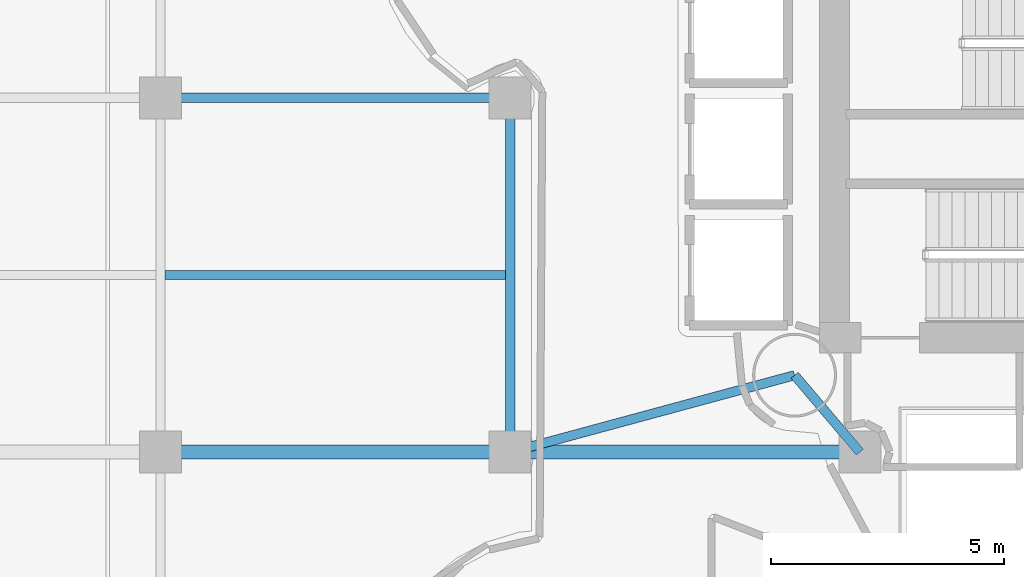
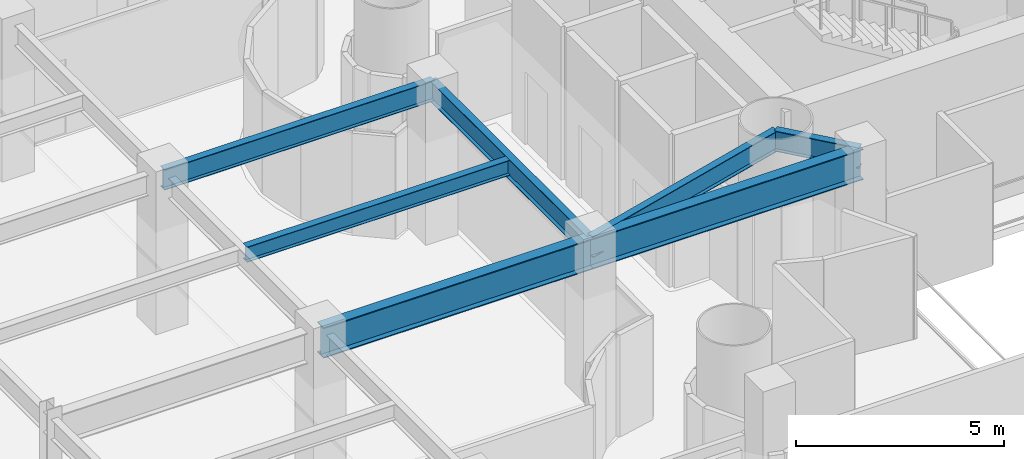
# One storey, part 10 of 39: 7 beams.
"""IFC4 building model written with IfcOpenShell, lengths in metres."""

from ifc_helpers import new_model, si_unit, direction, frame, origin, origin_2d, place, context, subcontext, project, spatial, i_section, extrude, material, material_profile, profile_set, type_object, element, save


model = new_model("IFC4")

# Units and contexts
model_context = context("Model", 3, precision=1e-05, world=origin(), true_north=direction((0.0, 1.0)))
body_context = subcontext(model_context, "Body", "Model", "MODEL_VIEW")
ifc_project = project(units=[si_unit("LENGTHUNIT", "METRE"), si_unit("AREAUNIT", "SQUARE_METRE"), si_unit("VOLUMEUNIT", "CUBIC_METRE"), si_unit("PLANEANGLEUNIT", "RADIAN"), si_unit("MASSUNIT", "GRAM", prefix="KILO")], contexts=[model_context])

# Site, building, storey
site_placement = place(None, origin())
site = spatial("IfcSite", under=ifc_project, at=site_placement, CompositionType="ELEMENT")
building_placement = place(site_placement, origin())
building = spatial("IfcBuilding", under=site, at=building_placement, Name="Qianvela Tower", CompositionType="ELEMENT")
storey_placement = place(building_placement, frame((0.0, 0.0, 15.800048828125)))
storey = spatial("IfcBuildingStorey", under=building, at=storey_placement, Name="L03", CompositionType="ELEMENT", Elevation=15.800048828125)

# Beams
ifc_material_1 = material(Name="Steel Q355B", Category="steel")
ifc_material_profile_1 = material_profile(ifc_material_1, i_section(OverallWidth=0.199951171875, OverallDepth=0.449951171875, WebThickness=0.009033203125, FlangeThickness=0.013916015625, at=origin_2d()), Name="HN450x200x9x14")
ifc_profile_set_1 = profile_set([ifc_material_profile_1], Name="Steel Q355B")
beam_type_1 = type_object("IfcBeamType", Name="BM-HN450-JOIST", PredefinedType="JOIST", material=ifc_profile_set_1)
beam_1_placement = place(storey_placement, frame((15.095947265625, 26.0, 4.27294921875), z_axis=(1.0, 0.0, 0.0), x_axis=(0.0, 1.0, 0.0)))
element("IfcBeam", 1, at=beam_1_placement, inside=storey, type_object=beam_type_1, Name="L03 Secondary Floor Joist 45", PredefinedType="JOIST", context=body_context, shape_type="SweptSolid", body=[
    extrude(i_section(OverallWidth=0.199951171875, OverallDepth=0.449951171875, WebThickness=0.009033203125, FlangeThickness=0.013916015625, at=origin_2d()), origin(), (0.0, 0.0, 1.0), 7.30810546875),
])
ifc_material_2 = material(Name="Steel Q355B", Category="steel")
ifc_material_profile_2 = material_profile(ifc_material_2, i_section(OverallWidth=0.199951171875, OverallDepth=0.60009765625, WebThickness=0.010986328125, FlangeThickness=0.01708984375, at=origin_2d()), Name="HN600x200x11x17")
ifc_profile_set_2 = profile_set([ifc_material_profile_2], Name="Steel Q355B")
beam_type_2 = type_object("IfcBeamType", Name="BM-HN600-GIRD", PredefinedType="BEAM", material=ifc_profile_set_2)
beam_2_placement = place(storey_placement, frame((15.0, 29.800048828125, 4.197998046875), z_axis=(1.0, 0.0, 0.0), x_axis=(0.0, 1.0, 0.0)))
element("IfcBeam", 2, at=beam_2_placement, inside=storey, type_object=beam_type_2, Name="L03 East-West Grid Girder 10", PredefinedType="BEAM", context=body_context, shape_type="SweptSolid", body=[
    extrude(i_section(OverallWidth=0.199951171875, OverallDepth=0.60009765625, WebThickness=0.010986328125, FlangeThickness=0.01708984375, at=origin_2d()), origin(), (0.0, 0.0, 1.0), 7.5),
])
beam_3_placement = place(storey_placement, frame((22.5, 22.199951171875, 4.197998046875), z_axis=(0.0, 1.0, 0.0), x_axis=(-1.0, 0.0, 0.0)))
element("IfcBeam", 3, at=beam_3_placement, inside=storey, type_object=beam_type_2, Name="L03 North-South Grid Girder 24", PredefinedType="BEAM", context=body_context, shape_type="SweptSolid", body=[
    extrude(i_section(OverallWidth=0.199951171875, OverallDepth=0.60009765625, WebThickness=0.010986328125, FlangeThickness=0.01708984375, at=origin_2d()), origin(), (0.0, 0.0, 1.0), 7.60009765625),
])
beam_4_placement = place(storey_placement, frame((28.60009765625, 23.85009765625, 4.197998046875), z_axis=(0.646917812917, -0.762559730992, 0.0), x_axis=(0.762559730992, 0.646917812917, 0.0)))
element("IfcBeam", 4, at=beam_4_placement, inside=storey, type_object=beam_type_2, Name="L03 Core Tie Girder 37", PredefinedType="BEAM", context=body_context, shape_type="SweptSolid", body=[
    extrude(i_section(OverallWidth=0.199951171875, OverallDepth=0.60009765625, WebThickness=0.010986328125, FlangeThickness=0.01708984375, at=origin_2d()), origin(), (0.0, 0.0, 1.0), 2.1640625),
])
beam_5_placement = place(storey_placement, frame((28.60009765625, 23.85009765625, 4.197998046875), z_axis=(-0.96530472097, -0.26112601493, 0.0), x_axis=(0.26112601493, -0.96530472097, 0.0)))
element("IfcBeam", 5, at=beam_5_placement, inside=storey, type_object=beam_type_2, Name="L03 Core Tie Girder 38", PredefinedType="BEAM", context=body_context, shape_type="SweptSolid", body=[
    extrude(i_section(OverallWidth=0.199951171875, OverallDepth=0.60009765625, WebThickness=0.010986328125, FlangeThickness=0.01708984375, at=origin_2d()), origin(), (0.0, 0.0, 1.0), 6.3193359375),
])
ifc_material_3 = material(Name="Steel Q355B", Category="steel")
ifc_material_profile_3 = material_profile(ifc_material_3, i_section(OverallWidth=0.300048828125, OverallDepth=0.89990234375, WebThickness=0.01611328125, FlangeThickness=0.028076171875, at=origin_2d()), Name="HN900x300x16x28")
ifc_profile_set_3 = profile_set([ifc_material_profile_3], Name="Steel Q355B")
beam_type_3 = type_object("IfcBeamType", Name="BM-HN900-SPAND", PredefinedType="SPANDREL", material=ifc_profile_set_3)
for number, where, z_axis, x_axis, name in (
    (6, (15.0, 22.199951171875, 4.0478515625), (1.0, 0.0, 0.0), (0.0, 1.0, 0.0), "L03 East-West Grid Girder 4"),
    (7, (22.5, 22.199951171875, 4.0478515625), (1.0, 0.0, 0.0), (0.0, 1.0, 0.0), "L03 East-West Grid Girder 5"),
):
    element("IfcBeam", number, at=place(storey_placement, frame(where, z_axis=z_axis, x_axis=x_axis)), inside=storey, type_object=beam_type_3, Name=name, PredefinedType="SPANDREL", context=body_context, shape_type="SweptSolid", body=[
        extrude(i_section(OverallWidth=0.300048828125, OverallDepth=0.89990234375, WebThickness=0.01611328125, FlangeThickness=0.028076171875, at=origin_2d()), origin(), (0.0, 0.0, 1.0), 7.5),
    ])

save(model, "model.ifc")
